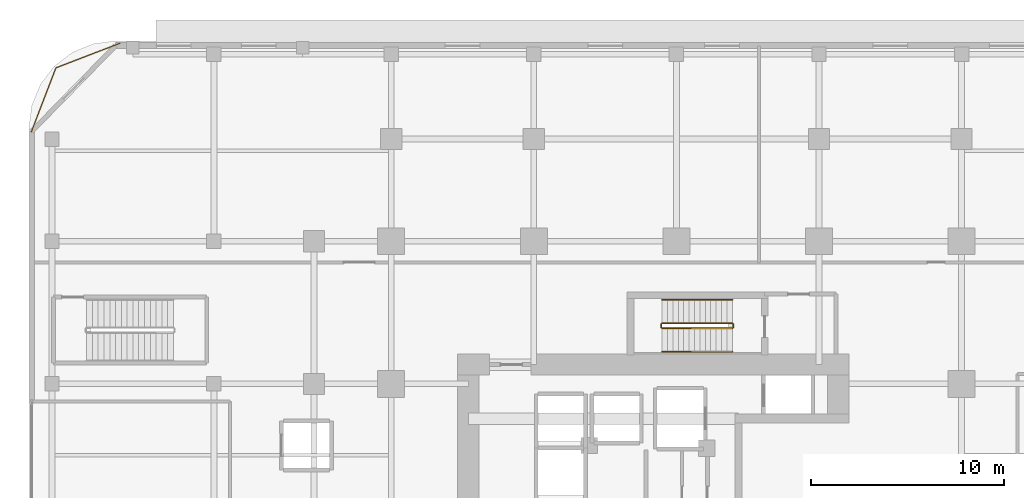
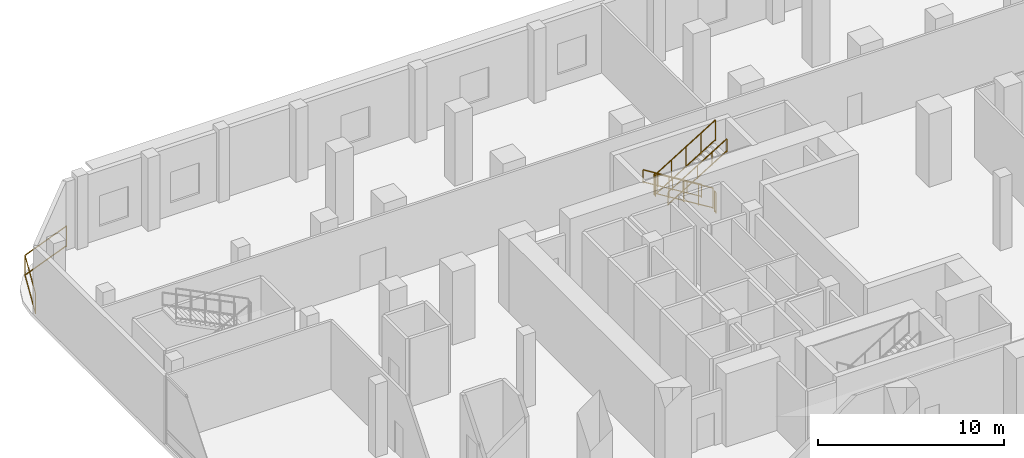
# One storey, part 17 of 19: 7 railings.
"""IFC4 building model written with IfcOpenShell, lengths in metres."""

from ifc_helpers import new_model, si_unit, direction, frame, origin, origin_2d, place, context, subcontext, project, spatial, rectangle, extrude, material, type_object, element, save


model = new_model("IFC4")

# Units and contexts
model_context = context("Model", 3, precision=1e-05, world=origin(), true_north=direction((0.0, 1.0)))
body_context = subcontext(model_context, "Body", "Model", "MODEL_VIEW")
ifc_project = project(units=[si_unit("LENGTHUNIT", "METRE"), si_unit("AREAUNIT", "SQUARE_METRE"), si_unit("VOLUMEUNIT", "CUBIC_METRE"), si_unit("PLANEANGLEUNIT", "RADIAN"), si_unit("MASSUNIT", "GRAM", prefix="KILO")], contexts=[model_context])

# Site, building, storey
site_placement = place(None, origin())
site = spatial("IfcSite", under=ifc_project, at=site_placement, CompositionType="ELEMENT")
building_placement = place(site_placement, origin())
building = spatial("IfcBuilding", under=site, at=building_placement, Name="Khorvyn Point Tower", CompositionType="ELEMENT")
storey_placement = place(building_placement, frame((0.0, 0.0, 21.60009765625)))
storey = spatial("IfcBuildingStorey", under=building, at=storey_placement, Name="L06", CompositionType="ELEMENT", Elevation=21.60009765625)

# Railings
ifc_material_1 = material(Name="Anodised aluminium 6063-T6 and laminated safety glass", Category="aluminium")
railing_type_1 = type_object("IfcRailingType", Name="Laminated Glass and Aluminium Balcony Guardrail 1400", PredefinedType="BALUSTRADE", material=ifc_material_1)
railing_1_placement = place(storey_placement, frame((-28.870849609375, 25.073974609375, 0.0)))
element("IfcRailing", 1, at=railing_1_placement, inside=storey, type_object=railing_type_1, Name="L06 Rounded Corner Edge Guardrail NW", PredefinedType="BALUSTRADE", context=body_context, shape_type="SweptSolid", body=[
    extrude(rectangle(XDim=0.048095703125, YDim=0.048095703125, at=origin_2d()), frame((0.0, 0.0, 1.3759765625), z_axis=(-0.933575007025, -0.358382067435, 0.0), x_axis=(0.358382067435, -0.933575007025, 0.0)), (0.0, 0.0, 1.0), 3.562744140625),
    extrude(rectangle(XDim=0.048095703125, YDim=0.048095703125, at=origin_2d()), frame((0.0, 0.0, 0.080078125), z_axis=(-0.933575007025, -0.358382067435, 0.0), x_axis=(0.358382067435, -0.933575007025, 0.0)), (0.0, 0.0, 1.0), 3.562744140625),
    extrude(rectangle(XDim=0.048095703125, YDim=0.048095703125, at=origin_2d()), frame((-3.326171875, -1.27685546875, 1.3759765625), z_axis=(-0.35841886047, -0.933560882031, 0.0), x_axis=(0.933560882031, -0.35841886047, 0.0)), (0.0, 0.0, 1.0), 3.563232421875),
    extrude(rectangle(XDim=0.048095703125, YDim=0.048095703125, at=origin_2d()), frame((-3.326171875, -1.27685546875, 0.080078125), z_axis=(-0.35841886047, -0.933560882031, 0.0), x_axis=(0.933560882031, -0.35841886047, 0.0)), (0.0, 0.0, 1.0), 3.563232421875),
    extrude(rectangle(XDim=0.0419921875, YDim=0.0419921875, at=origin_2d()), origin(), (0.0, 0.0, 1.0), 1.351806640625),
    extrude(rectangle(XDim=0.0419921875, YDim=0.0419921875, at=origin_2d()), frame((-3.326171875, -1.27685546875, 0.0)), (0.0, 0.0, 1.0), 1.351806640625),
    extrude(rectangle(XDim=0.0419921875, YDim=0.0419921875, at=origin_2d()), frame((-4.603271484375, -4.603271484375, 0.0)), (0.0, 0.0, 1.0), 1.351806640625),
])
ifc_material_2 = material(Name="Stainless steel 1.4301", Category="steel")
railing_type_2 = type_object("IfcRailingType", Name="Stainless Steel 304 Stair Pitch Handrail 900", PredefinedType="HANDRAIL", material=ifc_material_2)
railing_2_placement = place(storey_placement, frame((2.89990234375, 11.77001953125, 0.17138671875)))
element("IfcRailing", 2, at=railing_2_placement, inside=storey, type_object=railing_type_2, Name="L06 ST-02 stair handrail 1", PredefinedType="HANDRAIL", context=body_context, shape_type="SweptSolid", body=[
    extrude(rectangle(XDim=0.048095703125, YDim=0.048095703125, at=origin_2d()), frame((0.0, 0.0, 0.8759765625), z_axis=(-0.852850264322, 0.0, 0.5221555579), x_axis=(0.0, -1.0, 0.0)), (0.0, 0.0, 1.0), 4.267822265625),
    extrude(rectangle(XDim=0.048095703125, YDim=0.048095703125, at=origin_2d()), frame((0.0, 0.0, 0.080078125), z_axis=(-0.852850264322, 0.0, 0.5221555579), x_axis=(0.0, -1.0, 0.0)), (0.0, 0.0, 1.0), 4.267822265625),
    extrude(rectangle(XDim=0.0419921875, YDim=0.0419921875, at=origin_2d()), origin(), (0.0, 0.0, 1.0), 0.851806640625),
    extrude(rectangle(XDim=0.0419921875, YDim=0.0419921875, at=origin_2d()), frame((-0.909912109375, 0.0, 0.55712890625)), (0.0, 0.0, 1.0), 0.851806640625),
    extrude(rectangle(XDim=0.0419921875, YDim=0.0419921875, at=origin_2d()), frame((-1.81982421875, 0.0, 1.1142578125)), (0.0, 0.0, 1.0), 0.851806640625),
    extrude(rectangle(XDim=0.0419921875, YDim=0.0419921875, at=origin_2d()), frame((-2.72998046875, 0.0, 1.67138671875)), (0.0, 0.0, 1.0), 0.851806640625),
    extrude(rectangle(XDim=0.0419921875, YDim=0.0419921875, at=origin_2d()), frame((-3.639892578125, 0.0, 2.228515625)), (0.0, 0.0, 1.0), 0.851806640625),
])
railing_3_placement = place(storey_placement, frame((-0.739990234375, 9.070068359375, 2.5712890625)))
element("IfcRailing", 3, at=railing_3_placement, inside=storey, type_object=railing_type_2, Name="L06 ST-02 stair handrail 2", PredefinedType="HANDRAIL", context=body_context, shape_type="SweptSolid", body=[
    extrude(rectangle(XDim=0.048095703125, YDim=0.048095703125, at=origin_2d()), frame((0.0, 0.0, 0.8759765625), z_axis=(0.852850264322, 0.0, 0.5221555579), x_axis=(0.0, 1.0, 0.0)), (0.0, 0.0, 1.0), 4.267822265625),
    extrude(rectangle(XDim=0.048095703125, YDim=0.048095703125, at=origin_2d()), frame((0.0, 0.0, 0.080078125), z_axis=(0.852850264322, 0.0, 0.5221555579), x_axis=(0.0, 1.0, 0.0)), (0.0, 0.0, 1.0), 4.267822265625),
    extrude(rectangle(XDim=0.0419921875, YDim=0.0419921875, at=origin_2d()), origin(), (0.0, 0.0, 1.0), 0.851806640625),
    extrude(rectangle(XDim=0.0419921875, YDim=0.0419921875, at=origin_2d()), frame((0.909912109375, 0.0, 0.55712890625)), (0.0, 0.0, 1.0), 0.851806640625),
    extrude(rectangle(XDim=0.0419921875, YDim=0.0419921875, at=origin_2d()), frame((1.81982421875, 0.0, 1.1142578125)), (0.0, 0.0, 1.0), 0.851806640625),
    extrude(rectangle(XDim=0.0419921875, YDim=0.0419921875, at=origin_2d()), frame((2.72998046875, 0.0, 1.67138671875)), (0.0, 0.0, 1.0), 0.851806640625),
    extrude(rectangle(XDim=0.0419921875, YDim=0.0419921875, at=origin_2d()), frame((3.639892578125, 0.0, 2.228515625)), (0.0, 0.0, 1.0), 0.851806640625),
])
railing_type_3 = type_object("IfcRailingType", Name="Stainless Steel 304 Stair Well Guardrail 1400", PredefinedType="GUARDRAIL", material=ifc_material_2)
railing_4_placement = place(storey_placement, frame((2.89990234375, 10.550048828125, 0.17138671875)))
element("IfcRailing", 4, at=railing_4_placement, inside=storey, type_object=railing_type_3, Name="L06 ST-02 stair guard 1", PredefinedType="GUARDRAIL", context=body_context, shape_type="SweptSolid", body=[
    extrude(rectangle(XDim=0.048095703125, YDim=0.048095703125, at=origin_2d()), frame((0.0, 0.0, 1.3759765625), z_axis=(-0.852850264322, 0.0, 0.5221555579), x_axis=(0.0, -1.0, 0.0)), (0.0, 0.0, 1.0), 4.267822265625),
    extrude(rectangle(XDim=0.048095703125, YDim=0.048095703125, at=origin_2d()), frame((0.0, 0.0, 0.080078125), z_axis=(-0.852850264322, 0.0, 0.5221555579), x_axis=(0.0, -1.0, 0.0)), (0.0, 0.0, 1.0), 4.267822265625),
    extrude(rectangle(XDim=0.0419921875, YDim=0.0419921875, at=origin_2d()), origin(), (0.0, 0.0, 1.0), 1.351806640625),
    extrude(rectangle(XDim=0.0419921875, YDim=0.0419921875, at=origin_2d()), frame((-0.909912109375, 0.0, 0.55712890625)), (0.0, 0.0, 1.0), 1.351806640625),
    extrude(rectangle(XDim=0.0419921875, YDim=0.0419921875, at=origin_2d()), frame((-1.81982421875, 0.0, 1.1142578125)), (0.0, 0.0, 1.0), 1.351806640625),
    extrude(rectangle(XDim=0.0419921875, YDim=0.0419921875, at=origin_2d()), frame((-2.72998046875, 0.0, 1.67138671875)), (0.0, 0.0, 1.0), 1.351806640625),
    extrude(rectangle(XDim=0.0419921875, YDim=0.0419921875, at=origin_2d()), frame((-3.639892578125, 0.0, 2.228515625)), (0.0, 0.0, 1.0), 1.351806640625),
])
railing_5_placement = place(storey_placement, frame((-0.7900390625, 10.5, 2.39990234375)))
element("IfcRailing", 5, at=railing_5_placement, inside=storey, type_object=railing_type_3, Name="L06 ST-02 stair guard 2", PredefinedType="GUARDRAIL", context=body_context, shape_type="SweptSolid", body=[
    extrude(rectangle(XDim=0.048095703125, YDim=0.048095703125, at=origin_2d()), frame((0.0, 0.0, 1.3759765625), z_axis=(0.0, -1.0, 0.0), x_axis=(1.0, 0.0, 0.0)), (0.0, 0.0, 1.0), 0.159912109375),
    extrude(rectangle(XDim=0.048095703125, YDim=0.048095703125, at=origin_2d()), frame((0.0, 0.0, 0.080078125), z_axis=(0.0, -1.0, 0.0), x_axis=(1.0, 0.0, 0.0)), (0.0, 0.0, 1.0), 0.159912109375),
    extrude(rectangle(XDim=0.0419921875, YDim=0.0419921875, at=origin_2d()), origin(), (0.0, 0.0, 1.0), 1.351806640625),
    extrude(rectangle(XDim=0.0419921875, YDim=0.0419921875, at=origin_2d()), frame((0.0, -0.159912109375, 0.0)), (0.0, 0.0, 1.0), 1.351806640625),
])
railing_6_placement = place(storey_placement, frame((-0.739990234375, 10.2900390625, 2.5712890625)))
element("IfcRailing", 6, at=railing_6_placement, inside=storey, type_object=railing_type_3, Name="L06 ST-02 stair guard 3", PredefinedType="GUARDRAIL", context=body_context, shape_type="SweptSolid", body=[
    extrude(rectangle(XDim=0.048095703125, YDim=0.048095703125, at=origin_2d()), frame((0.0, 0.0, 1.3759765625), z_axis=(0.852850264322, 0.0, 0.5221555579), x_axis=(0.0, 1.0, 0.0)), (0.0, 0.0, 1.0), 4.267822265625),
    extrude(rectangle(XDim=0.048095703125, YDim=0.048095703125, at=origin_2d()), frame((0.0, 0.0, 0.080078125), z_axis=(0.852850264322, 0.0, 0.5221555579), x_axis=(0.0, 1.0, 0.0)), (0.0, 0.0, 1.0), 4.267822265625),
    extrude(rectangle(XDim=0.0419921875, YDim=0.0419921875, at=origin_2d()), origin(), (0.0, 0.0, 1.0), 1.351806640625),
    extrude(rectangle(XDim=0.0419921875, YDim=0.0419921875, at=origin_2d()), frame((0.909912109375, 0.0, 0.55712890625)), (0.0, 0.0, 1.0), 1.351806640625),
    extrude(rectangle(XDim=0.0419921875, YDim=0.0419921875, at=origin_2d()), frame((1.81982421875, 0.0, 1.1142578125)), (0.0, 0.0, 1.0), 1.351806640625),
    extrude(rectangle(XDim=0.0419921875, YDim=0.0419921875, at=origin_2d()), frame((2.72998046875, 0.0, 1.67138671875)), (0.0, 0.0, 1.0), 1.351806640625),
    extrude(rectangle(XDim=0.0419921875, YDim=0.0419921875, at=origin_2d()), frame((3.639892578125, 0.0, 2.228515625)), (0.0, 0.0, 1.0), 1.351806640625),
])
railing_7_placement = place(storey_placement, frame((2.949951171875, 10.5, 0.0)))
element("IfcRailing", 7, at=railing_7_placement, inside=storey, type_object=railing_type_3, Name="L06 ST-02 stair guard 4", PredefinedType="GUARDRAIL", context=body_context, shape_type="SweptSolid", body=[
    extrude(rectangle(XDim=0.048095703125, YDim=0.048095703125, at=origin_2d()), frame((0.0, 0.0, 1.3759765625), z_axis=(0.0, -1.0, 0.0), x_axis=(1.0, 0.0, 0.0)), (0.0, 0.0, 1.0), 0.159912109375),
    extrude(rectangle(XDim=0.048095703125, YDim=0.048095703125, at=origin_2d()), frame((0.0, 0.0, 0.080078125), z_axis=(0.0, -1.0, 0.0), x_axis=(1.0, 0.0, 0.0)), (0.0, 0.0, 1.0), 0.159912109375),
    extrude(rectangle(XDim=0.0419921875, YDim=0.0419921875, at=origin_2d()), origin(), (0.0, 0.0, 1.0), 1.351806640625),
    extrude(rectangle(XDim=0.0419921875, YDim=0.0419921875, at=origin_2d()), frame((0.0, -0.159912109375, 0.0)), (0.0, 0.0, 1.0), 1.351806640625),
])

save(model, "model.ifc")
